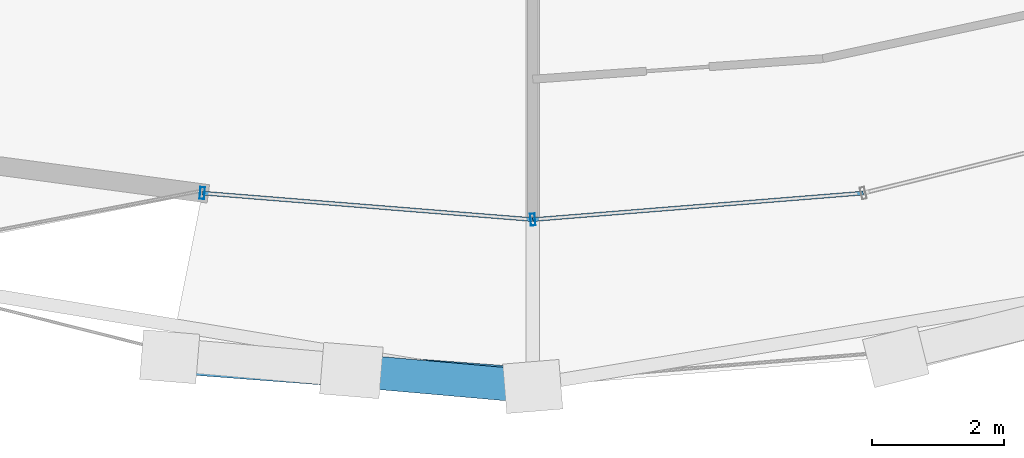
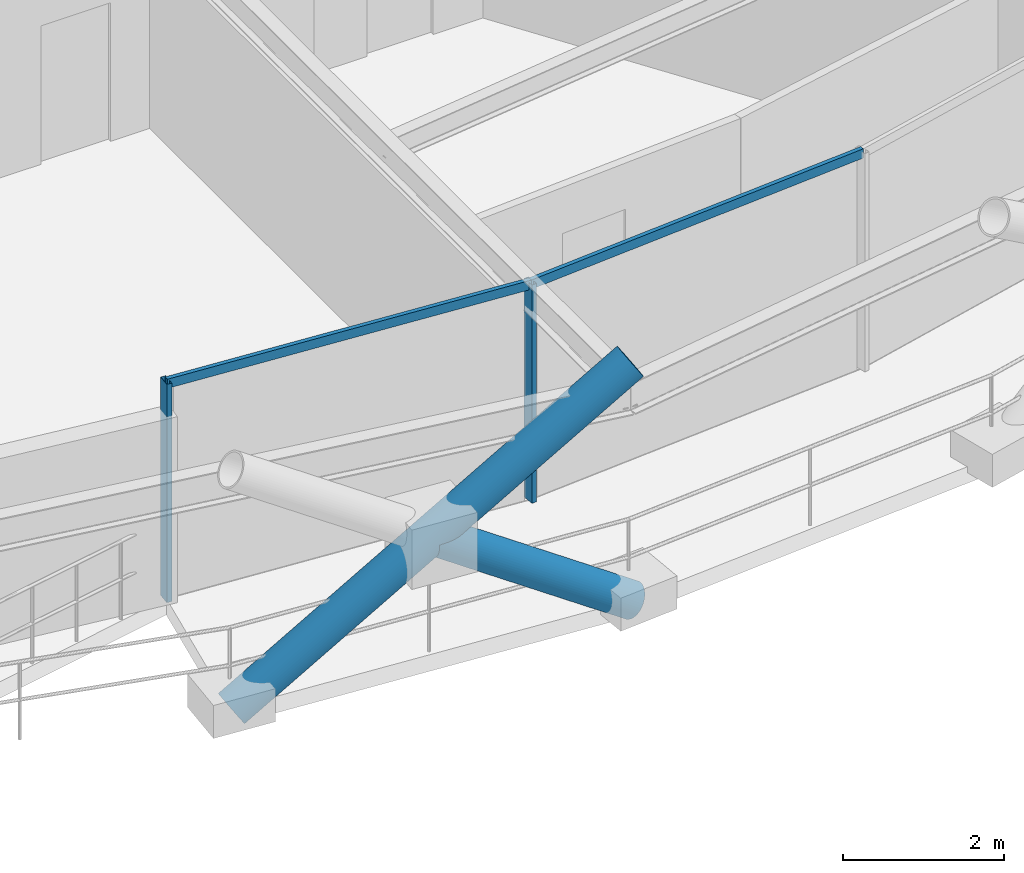
# One storey, part 2 of 19: 6 members, 1 element without a shape of its own.
"""IFC4 building model written with IfcOpenShell, lengths in metres."""

from ifc_helpers import new_model, si_unit, direction, frame, origin, origin_2d, place, context, subcontext, project, spatial, hollow_rectangle, hollow_circle, extrude, material, layer, layer_set, material_profile, profile_set, type_object, element, aggregate, save


model = new_model("IFC4")

# Units and contexts
model_context = context("Model", 3, precision=1e-05, world=origin(), true_north=direction((0.0, 1.0)))
body_context = subcontext(model_context, "Body", "Model", "MODEL_VIEW")
ifc_project = project(units=[si_unit("LENGTHUNIT", "METRE"), si_unit("AREAUNIT", "SQUARE_METRE"), si_unit("VOLUMEUNIT", "CUBIC_METRE"), si_unit("PLANEANGLEUNIT", "RADIAN"), si_unit("MASSUNIT", "GRAM", prefix="KILO")], contexts=[model_context])

# Site, building, storey
site_placement = place(None, origin())
site = spatial("IfcSite", under=ifc_project, at=site_placement, CompositionType="ELEMENT")
building_placement = place(site_placement, origin())
building = spatial("IfcBuilding", under=site, at=building_placement, Name="Veldorina Hangang Commons", CompositionType="ELEMENT")
storey_placement = place(building_placement, frame((0.0, 0.0, 167.60009765625)))
storey = spatial("IfcBuildingStorey", under=building, at=storey_placement, Name="L43", CompositionType="ELEMENT", Elevation=167.60009765625)

# Curtain wall, members
ifc_material_1 = material(Name="Glass Low-E Triple IGU", Category="glass")
ifc_layer = layer(ifc_material_1, 0.179931640625)
ifc_layer_set = layer_set([ifc_layer], Name="Glass Low-E Triple IGU")
curtain_wall_type = type_object("IfcCurtainWallType", Name="CW-SYS-Z2", PredefinedType="NOTDEFINED", material=ifc_layer_set)
curtain_wall_placement = place(storey_placement, origin())
curtain_wall = element("IfcCurtainWall", 1, at=curtain_wall_placement, inside=storey, type_object=curtain_wall_type, Name="L43 unitised curtain wall CW-L43-R1", PredefinedType="NOTDEFINED")
ifc_material_2 = material(Name="Aluminium Anodized AA6063-T6", Category="aluminium")
ifc_material_profile_1 = material_profile(ifc_material_2, hollow_rectangle(XDim=0.070068359375, YDim=0.179931640625, WallThickness=0.00390625, at=origin_2d()), Name="ALU-RHS-180x70x4")
ifc_profile_set_1 = profile_set([ifc_material_profile_1], Name="Aluminium Anodized AA6063-T6")
member_type_1 = type_object("IfcMemberType", Name="CW-MUL-180", PredefinedType="MULLION", material=ifc_profile_set_1)
member_1_placement = place(storey_placement, frame((27.010498046875, 3.553955078125, 0.0), z_axis=(0.0, 0.0, 1.0), x_axis=(0.996792860627, -0.080024952375, 0.0)))
member_1 = element("IfcMember", 2, at=member_1_placement, type_object=member_type_1, Name="CW-L43-R1 vertical mullion 1", PredefinedType="MULLION", context=body_context, shape_type="SweptSolid", body=[
    extrude(hollow_rectangle(XDim=0.070068359375, YDim=0.179931640625, WallThickness=0.00390625, at=origin_2d()), origin(), (0.0, 0.0, 1.0), 3.309814453125),
])
member_2_placement = place(storey_placement, frame((32.0, 3.1533203125, 0.0), z_axis=(0.0, 0.0, 1.0), x_axis=(0.996792860627, 0.080024952375, 0.0)))
member_2 = element("IfcMember", 3, at=member_2_placement, type_object=member_type_1, Name="CW-L43-R1 vertical mullion 2", PredefinedType="MULLION", context=body_context, shape_type="SweptSolid", body=[
    extrude(hollow_rectangle(XDim=0.070068359375, YDim=0.179931640625, WallThickness=0.00390625, at=origin_2d()), origin(), (0.0, 0.0, 1.0), 3.309814453125),
])
ifc_material_profile_2 = material_profile(ifc_material_2, hollow_rectangle(XDim=0.06005859375, YDim=0.139892578125, WallThickness=0.00341796875, at=origin_2d()), Name="ALU-RHS-140x60x3.5")
ifc_profile_set_2 = profile_set([ifc_material_profile_2], Name="Aluminium Anodized AA6063-T6")
member_type_2 = type_object("IfcMemberType", Name="CW-TRN-140", PredefinedType="USERDEFINED", material=ifc_profile_set_2)
member_3_placement = place(storey_placement, frame((27.010498046875, 3.553955078125, 3.27001953125), z_axis=(0.99679181789, -0.080037939676, 0.0), x_axis=(0.080037939676, 0.99679181789, 0.0)))
member_3 = element("IfcMember", 4, at=member_3_placement, type_object=member_type_2, Name="CW-L43-R1 facet 1 transom 1", ObjectType="TRANSOM", PredefinedType="USERDEFINED", context=body_context, shape_type="SweptSolid", body=[
    extrude(hollow_rectangle(XDim=0.06005859375, YDim=0.139892578125, WallThickness=0.00341796875, at=origin_2d()), origin(), (0.0, 0.0, 1.0), 5.005615234375),
])
member_4_placement = place(storey_placement, frame((32.0, 3.1533203125, 3.27001953125), z_axis=(0.99679181789, 0.080037939676, 0.0), x_axis=(-0.080037939676, 0.99679181789, 0.0)))
member_4 = element("IfcMember", 5, at=member_4_placement, type_object=member_type_2, Name="CW-L43-R1 facet 2 transom 1", ObjectType="TRANSOM", PredefinedType="USERDEFINED", context=body_context, shape_type="SweptSolid", body=[
    extrude(hollow_rectangle(XDim=0.06005859375, YDim=0.139892578125, WallThickness=0.00341796875, at=origin_2d()), origin(), (0.0, 0.0, 1.0), 5.005615234375),
])
aggregate(curtain_wall, [member_1, member_2, member_3, member_4])

# Members
ifc_material_3 = material(Name="Steel SM420-TMC", Category="steel")
ifc_material_profile_3 = material_profile(ifc_material_3, hollow_circle(Radius=0.25, WallThickness=0.02490234375, at=origin_2d()), Name="CHS-500x25")
ifc_profile_set_3 = profile_set([ifc_material_profile_3], Name="Steel SM420-TMC")
member_type_3 = type_object("IfcMemberType", Name="DG-CHS500", PredefinedType="BRACE", material=ifc_profile_set_3)
member_5_placement = place(storey_placement, frame((26.518798828125, 1.082275390625, 0.0), z_axis=(0.834175960217, -0.063275651875, 0.547856422137), x_axis=(0.075636793266, 0.997135434886, 0.0)))
element("IfcMember", 6, at=member_5_placement, inside=storey, type_object=member_type_3, Name="L43 continuous perimeter diagrid brace 23", PredefinedType="BRACE", context=body_context, shape_type="SweptSolid", body=[
    extrude(hollow_circle(Radius=0.25, WallThickness=0.02490234375, at=origin_2d()), origin(), (0.0, 0.0, 1.0), 6.57080078125),
])
member_6_placement = place(storey_placement, frame((32.0, 0.63330078125, 0.0), z_axis=(-0.833166851508, 0.073318088662, 0.548139996191), x_axis=(-0.087660525249, -0.996150406471, 0.0)))
element("IfcMember", 7, at=member_6_placement, inside=storey, type_object=member_type_3, Name="L43 split perimeter diagrid lower brace 24", PredefinedType="BRACE", context=body_context, shape_type="SweptSolid", body=[
    extrude(hollow_circle(Radius=0.25, WallThickness=0.02490234375, at=origin_2d()), origin(), (0.0, 0.0, 1.0), 3.28662109375),
])

save(model, "model.ifc")
